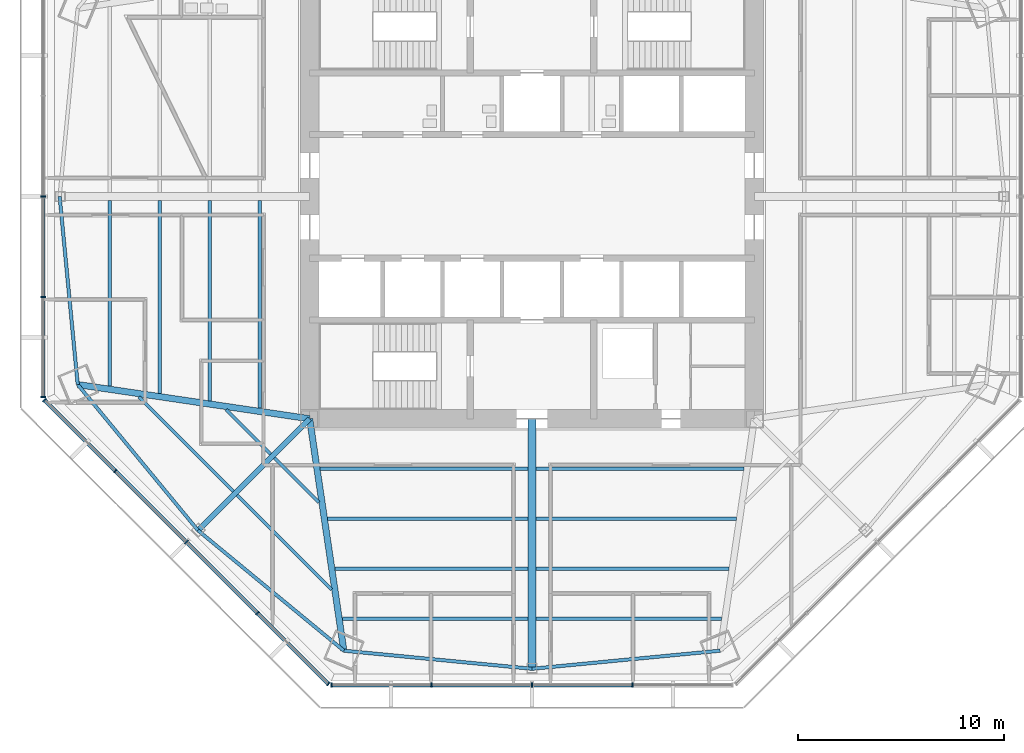
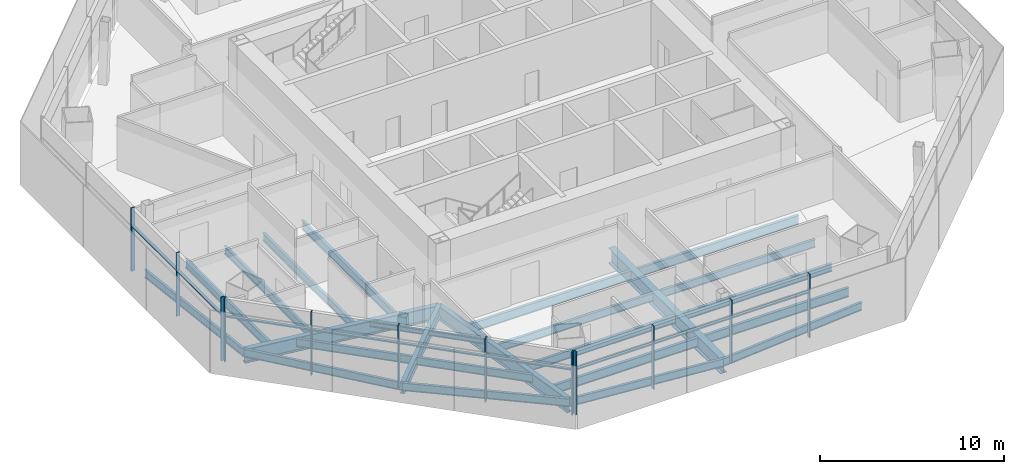
# One storey, part 2 of 15: 25 beams, 21 members, 3 elements without a shape of their own.
"""IFC4 building model written with IfcOpenShell, lengths in metres."""

from ifc_helpers import new_model, si_unit, direction, frame, origin, origin_2d, place, context, subcontext, project, spatial, rectangle, i_section, extrude, source, transform, mapped, material, material_profile, profile_set, type_object, type_shapes, element, aggregate, save


model = new_model("IFC4")

# Units and contexts
model_context = context("Model", 3, precision=1e-05, world=origin(), true_north=direction((0.0, 1.0)))
body_context = subcontext(model_context, "Body", "Model", "MODEL_VIEW")
ifc_project = project(units=[si_unit("LENGTHUNIT", "METRE"), si_unit("AREAUNIT", "SQUARE_METRE"), si_unit("VOLUMEUNIT", "CUBIC_METRE"), si_unit("PLANEANGLEUNIT", "RADIAN"), si_unit("MASSUNIT", "GRAM", prefix="KILO")], contexts=[model_context])

# Site, building, storey
site_placement = place(None, origin())
site = spatial("IfcSite", under=ifc_project, at=site_placement, CompositionType="ELEMENT")
building_placement = place(site_placement, origin())
building = spatial("IfcBuilding", under=site, at=building_placement, Name="Mashrafa Tower", CompositionType="ELEMENT")
storey_placement = place(building_placement, frame((0.0, 0.0, 151.199951171875)))
storey = spatial("IfcBuildingStorey", under=building, at=storey_placement, Name="L34", CompositionType="ELEMENT", Elevation=151.199951171875)

# Beams
ifc_material_1 = material(Name="Steel ASTM A992", Category="steel")
ifc_material_profile_1 = material_profile(ifc_material_1, i_section(OverallWidth=0.164794921875, OverallDepth=0.309814453125, WebThickness=0.005859375, FlangeThickness=0.009765625, FilletRadius=0.007568359375, at=origin_2d()), Name="W12X26")
ifc_profile_set_1 = profile_set([ifc_material_profile_1], Name="Steel ASTM A992")
beam_type_1 = type_object("IfcBeamType", Name="Beam W12X26", PredefinedType="BEAM", material=ifc_profile_set_1)
for number, where, z_axis, x_axis, name in (
    (1, (-12.701904296875, -12.51318359375, -0.31982421875), (-0.707066746832, 0.707146813274, 0.0), (-0.707146813274, -0.707066746832, 0.0), "Floor beam L34 013"),
    (2, (-10.35693359375, -14.85791015625, -0.31982421875), (-0.707146813274, 0.707066746832, 0.0), (-0.707066746832, -0.707146813274, 0.0), "Floor beam L34 016"),
):
    element("IfcBeam", number, at=place(storey_placement, frame(where, z_axis=z_axis, x_axis=x_axis)), inside=storey, type_object=beam_type_1, Name=name, PredefinedType="BEAM", context=body_context, shape_type="SweptSolid", body=[
        extrude(i_section(OverallWidth=0.164794921875, OverallDepth=0.309814453125, WebThickness=0.005859375, FlangeThickness=0.009765625, FilletRadius=0.007568359375, at=origin_2d()), origin(), (0.0, 0.0, 1.0), 3.04931640625),
    ])
ifc_material_2 = material(Name="Steel ASTM A992", Category="steel")
ifc_material_profile_2 = material_profile(ifc_material_2, i_section(OverallWidth=0.1650390625, OverallDepth=0.52587890625, WebThickness=0.0087890625, FlangeThickness=0.011474609375, FilletRadius=0.0126953125, at=origin_2d()), Name="W21X44")
ifc_profile_set_2 = profile_set([ifc_material_profile_2], Name="Steel ASTM A992")
beam_type_2 = type_object("IfcBeamType", Name="Beam W21X44", PredefinedType="BEAM", material=ifc_profile_set_2)
beam_1_placement = place(storey_placement, frame((-18.085205078125, -9.570556640625, -0.427734375), z_axis=(0.0, 1.0, 0.0), x_axis=(-1.0, 0.0, 0.0)))
element("IfcBeam", 3, at=beam_1_placement, inside=storey, type_object=beam_type_2, Name="Floor beam L34 004", PredefinedType="BEAM", context=body_context, shape_type="SweptSolid", body=[
    extrude(i_section(OverallWidth=0.1650390625, OverallDepth=0.52587890625, WebThickness=0.0087890625, FlangeThickness=0.011474609375, FilletRadius=0.0126953125, at=origin_2d()), origin(), (0.0, 0.0, 1.0), 9.369873046875),
])
beam_2_placement = place(storey_placement, frame((-15.656982421875, -9.9287109375, -0.427734375), z_axis=(0.0, 1.0, 0.0), x_axis=(-1.0, 0.0, 0.0)))
element("IfcBeam", 4, at=beam_2_placement, inside=storey, type_object=beam_type_2, Name="Floor beam L34 006", PredefinedType="BEAM", context=body_context, shape_type="SweptSolid", body=[
    extrude(i_section(OverallWidth=0.1650390625, OverallDepth=0.52587890625, WebThickness=0.0087890625, FlangeThickness=0.011474609375, FilletRadius=0.0126953125, at=origin_2d()), origin(), (0.0, 0.0, 1.0), 9.72802734375),
])
for number, where, z_axis, x_axis, name in (
    (5, (-14.50927734375, -14.32080078125, -0.427734375), (-0.707087971403, 0.70712559047, 0.0), (-0.70712559047, -0.707087971403, 0.0), "Floor beam L34 009"),
    (6, (-9.731689453125, -19.09814453125, -0.427734375), (-0.70712559047, 0.707087971403, 0.0), (-0.707087971403, -0.70712559047, 0.0), "Floor beam L34 019"),
):
    element("IfcBeam", number, at=place(storey_placement, frame(where, z_axis=z_axis, x_axis=x_axis)), inside=storey, type_object=beam_type_2, Name=name, PredefinedType="BEAM", context=body_context, shape_type="SweptSolid", body=[
        extrude(i_section(OverallWidth=0.1650390625, OverallDepth=0.52587890625, WebThickness=0.0087890625, FlangeThickness=0.011474609375, FilletRadius=0.0126953125, at=origin_2d()), origin(), (0.0, 0.0, 1.0), 6.48974609375),
    ])
beam_3_placement = place(storey_placement, frame((-0.20068359375, -18.085205078125, -0.427734375), z_axis=(-1.0, 0.0, 0.0), x_axis=(0.0, -1.0, 0.0)))
element("IfcBeam", 7, at=beam_3_placement, inside=storey, type_object=beam_type_2, Name="Floor beam L34 022", PredefinedType="BEAM", context=body_context, shape_type="SweptSolid", body=[
    extrude(i_section(OverallWidth=0.1650390625, OverallDepth=0.52587890625, WebThickness=0.0087890625, FlangeThickness=0.011474609375, FilletRadius=0.0126953125, at=origin_2d()), origin(), (0.0, 0.0, 1.0), 9.369873046875),
])
beam_4_placement = place(storey_placement, frame((-0.20068359375, -15.656982421875, -0.427734375), z_axis=(-1.0, 0.0, 0.0), x_axis=(0.0, -1.0, 0.0)))
element("IfcBeam", 8, at=beam_4_placement, inside=storey, type_object=beam_type_2, Name="Floor beam L34 023", PredefinedType="BEAM", context=body_context, shape_type="SweptSolid", body=[
    extrude(i_section(OverallWidth=0.1650390625, OverallDepth=0.52587890625, WebThickness=0.0087890625, FlangeThickness=0.011474609375, FilletRadius=0.0126953125, at=origin_2d()), origin(), (0.0, 0.0, 1.0), 9.72802734375),
])
beam_5_placement = place(storey_placement, frame((9.570556640625, -18.085205078125, -0.427734375), z_axis=(-1.0, 0.0, 0.0), x_axis=(0.0, -1.0, 0.0)))
element("IfcBeam", 9, at=beam_5_placement, inside=storey, type_object=beam_type_2, Name="Floor beam L34 031", PredefinedType="BEAM", context=body_context, shape_type="SweptSolid", body=[
    extrude(i_section(OverallWidth=0.1650390625, OverallDepth=0.52587890625, WebThickness=0.0087890625, FlangeThickness=0.011474609375, FilletRadius=0.0126953125, at=origin_2d()), origin(), (0.0, 0.0, 1.0), 9.369873046875),
])
beam_6_placement = place(storey_placement, frame((9.9287109375, -15.656982421875, -0.427734375), z_axis=(-1.0, 0.0, 0.0), x_axis=(0.0, -1.0, 0.0)))
element("IfcBeam", 10, at=beam_6_placement, inside=storey, type_object=beam_type_2, Name="Floor beam L34 032", PredefinedType="BEAM", context=body_context, shape_type="SweptSolid", body=[
    extrude(i_section(OverallWidth=0.1650390625, OverallDepth=0.52587890625, WebThickness=0.0087890625, FlangeThickness=0.011474609375, FilletRadius=0.0126953125, at=origin_2d()), origin(), (0.0, 0.0, 1.0), 9.72802734375),
])
beam_7_placement = place(storey_placement, frame((-22.942138671875, 0.0, -0.427734375), z_axis=(0.09564856417, -0.995415165733, 0.0), x_axis=(0.995415165733, 0.09564856417, 0.0)))
element("IfcBeam", 11, at=beam_7_placement, inside=storey, type_object=beam_type_2, Name="Spandrel beam L34 065", PredefinedType="BEAM", context=body_context, shape_type="SweptSolid", body=[
    extrude(i_section(OverallWidth=0.1650390625, OverallDepth=0.52587890625, WebThickness=0.0087890625, FlangeThickness=0.011474609375, FilletRadius=0.0126953125, at=origin_2d()), origin(), (0.0, 0.0, 1.0), 9.18115234375),
])
for number, where, z_axis, x_axis, name in (
    (12, (-22.06396484375, -9.13916015625, -0.427734375), (0.636244896427, -0.771487155934, 0.0), (0.771487155934, 0.636244896427, 0.0), "Spandrel beam L34 066"),
    (13, (-16.222412109375, -16.222412109375, -0.427734375), (0.771487155934, -0.636244896427, 0.0), (0.636244896427, 0.771487155934, 0.0), "Spandrel beam L34 068"),
):
    element("IfcBeam", number, at=place(storey_placement, frame(where, z_axis=z_axis, x_axis=x_axis)), inside=storey, type_object=beam_type_2, Name=name, PredefinedType="BEAM", context=body_context, shape_type="SweptSolid", body=[
        extrude(i_section(OverallWidth=0.1650390625, OverallDepth=0.52587890625, WebThickness=0.0087890625, FlangeThickness=0.011474609375, FilletRadius=0.0126953125, at=origin_2d()), origin(), (0.0, 0.0, 1.0), 9.181396484375),
    ])
for number, where, z_axis, x_axis, name in (
    (14, (-9.13916015625, -22.06396484375, -0.427734375), (0.995415165733, -0.09564856417, 0.0), (0.09564856417, 0.995415165733, 0.0), "Spandrel beam L34 070"),
    (15, (0.0, -22.942138671875, -0.427734375), (0.995415165733, 0.09564856417, 0.0), (-0.09564856417, 0.995415165733, 0.0), "Spandrel beam L34 072"),
):
    element("IfcBeam", number, at=place(storey_placement, frame(where, z_axis=z_axis, x_axis=x_axis)), inside=storey, type_object=beam_type_2, Name=name, PredefinedType="BEAM", context=body_context, shape_type="SweptSolid", body=[
        extrude(i_section(OverallWidth=0.1650390625, OverallDepth=0.52587890625, WebThickness=0.0087890625, FlangeThickness=0.011474609375, FilletRadius=0.0126953125, at=origin_2d()), origin(), (0.0, 0.0, 1.0), 9.18115234375),
    ])
ifc_material_3 = material(Name="Steel ASTM A992", Category="steel")
ifc_material_profile_3 = material_profile(ifc_material_3, i_section(OverallWidth=0.177978515625, OverallDepth=0.599365234375, WebThickness=0.010009765625, FlangeThickness=0.012939453125, FilletRadius=0.012939453125, at=origin_2d()), Name="W24X55")
ifc_profile_set_3 = profile_set([ifc_material_profile_3], Name="Steel ASTM A992")
beam_type_3 = type_object("IfcBeamType", Name="Beam W24X55", PredefinedType="BEAM", material=ifc_profile_set_3)
beam_8_placement = place(storey_placement, frame((-20.513916015625, -9.21240234375, -0.464599609375), z_axis=(0.0, 1.0, 0.0), x_axis=(-1.0, 0.0, 0.0)))
element("IfcBeam", 16, at=beam_8_placement, inside=storey, type_object=beam_type_3, Name="Floor beam L34 001", PredefinedType="BEAM", context=body_context, shape_type="SweptSolid", body=[
    extrude(i_section(OverallWidth=0.177978515625, OverallDepth=0.599365234375, WebThickness=0.010009765625, FlangeThickness=0.012939453125, FilletRadius=0.012939453125, at=origin_2d()), origin(), (0.0, 0.0, 1.0), 9.01171875),
])
beam_9_placement = place(storey_placement, frame((-13.228515625, -10.28662109375, -0.464599609375), z_axis=(0.0, 1.0, 0.0), x_axis=(-1.0, 0.0, 0.0)))
element("IfcBeam", 17, at=beam_9_placement, inside=storey, type_object=beam_type_3, Name="Floor beam L34 011", PredefinedType="BEAM", context=body_context, shape_type="SweptSolid", body=[
    extrude(i_section(OverallWidth=0.177978515625, OverallDepth=0.599365234375, WebThickness=0.010009765625, FlangeThickness=0.012939453125, FilletRadius=0.012939453125, at=origin_2d()), origin(), (0.0, 0.0, 1.0), 10.0859375),
])
beam_10_placement = place(storey_placement, frame((-0.20068359375, -20.513916015625, -0.464599609375), z_axis=(-1.0, 0.0, 0.0), x_axis=(0.0, -1.0, 0.0)))
element("IfcBeam", 18, at=beam_10_placement, inside=storey, type_object=beam_type_3, Name="Floor beam L34 021", PredefinedType="BEAM", context=body_context, shape_type="SweptSolid", body=[
    extrude(i_section(OverallWidth=0.177978515625, OverallDepth=0.599365234375, WebThickness=0.010009765625, FlangeThickness=0.012939453125, FilletRadius=0.012939453125, at=origin_2d()), origin(), (0.0, 0.0, 1.0), 9.01171875),
])
beam_11_placement = place(storey_placement, frame((-0.20068359375, -13.228515625, -0.464599609375), z_axis=(-1.0, 0.0, 0.0), x_axis=(0.0, -1.0, 0.0)))
element("IfcBeam", 19, at=beam_11_placement, inside=storey, type_object=beam_type_3, Name="Floor beam L34 024", PredefinedType="BEAM", context=body_context, shape_type="SweptSolid", body=[
    extrude(i_section(OverallWidth=0.177978515625, OverallDepth=0.599365234375, WebThickness=0.010009765625, FlangeThickness=0.012939453125, FilletRadius=0.012939453125, at=origin_2d()), origin(), (0.0, 0.0, 1.0), 10.0859375),
])
beam_12_placement = place(storey_placement, frame((9.21240234375, -20.513916015625, -0.464599609375), z_axis=(-1.0, 0.0, 0.0), x_axis=(0.0, -1.0, 0.0)))
element("IfcBeam", 20, at=beam_12_placement, inside=storey, type_object=beam_type_3, Name="Floor beam L34 029", PredefinedType="BEAM", context=body_context, shape_type="SweptSolid", body=[
    extrude(i_section(OverallWidth=0.177978515625, OverallDepth=0.599365234375, WebThickness=0.010009765625, FlangeThickness=0.012939453125, FilletRadius=0.012939453125, at=origin_2d()), origin(), (0.0, 0.0, 1.0), 9.01171875),
])
beam_13_placement = place(storey_placement, frame((10.28662109375, -13.228515625, -0.464599609375), z_axis=(-1.0, 0.0, 0.0), x_axis=(0.0, -1.0, 0.0)))
element("IfcBeam", 21, at=beam_13_placement, inside=storey, type_object=beam_type_3, Name="Floor beam L34 034", PredefinedType="BEAM", context=body_context, shape_type="SweptSolid", body=[
    extrude(i_section(OverallWidth=0.177978515625, OverallDepth=0.599365234375, WebThickness=0.010009765625, FlangeThickness=0.012939453125, FilletRadius=0.012939453125, at=origin_2d()), origin(), (0.0, 0.0, 1.0), 10.0859375),
])
ifc_material_4 = material(Name="Steel ASTM A992", Category="steel")
ifc_material_profile_4 = material_profile(ifc_material_4, i_section(OverallWidth=0.2666015625, OverallDepth=0.761962890625, WebThickness=0.014404296875, FlangeThickness=0.021484375, FilletRadius=0.0166015625, at=origin_2d()), Name="W30X116")
ifc_profile_set_4 = profile_set([ifc_material_profile_4], Name="Steel ASTM A992")
beam_type_4 = type_object("IfcBeamType", Name="Beam W30X116", PredefinedType="BEAM", material=ifc_profile_set_4)
beam_14_placement = place(storey_placement, frame((-10.800048828125, -10.800048828125, -0.5458984375), z_axis=(-0.707106781187, -0.707106781187, 0.0), x_axis=(0.707106781187, -0.707106781187, 0.0)))
element("IfcBeam", 22, at=beam_14_placement, inside=storey, type_object=beam_type_4, Name="Radial girder L34 050", PredefinedType="BEAM", context=body_context, shape_type="SweptSolid", body=[
    extrude(i_section(OverallWidth=0.2666015625, OverallDepth=0.761962890625, WebThickness=0.014404296875, FlangeThickness=0.021484375, FilletRadius=0.0166015625, at=origin_2d()), origin(), (0.0, 0.0, 1.0), 7.66845703125),
])
ifc_material_5 = material(Name="Steel ASTM A992", Category="steel")
ifc_material_profile_5 = material_profile(ifc_material_5, i_section(OverallWidth=0.307373046875, OverallDepth=0.927001953125, WebThickness=0.01953125, FlangeThickness=0.031982421875, FilletRadius=0.01904296875, at=origin_2d()), Name="W36X194")
ifc_profile_set_5 = profile_set([ifc_material_profile_5], Name="Steel ASTM A992")
beam_type_5 = type_object("IfcBeamType", Name="Beam W36X194", PredefinedType="BEAM", material=ifc_profile_set_5)
for number, where, z_axis, x_axis, name in (
    (23, (-10.800048828125, -10.800048828125, -0.62841796875), (-0.989303049508, 0.145874864985, 0.0), (-0.145874864985, -0.989303049508, 0.0), "Radial girder L34 049"),
    (24, (-10.800048828125, -10.800048828125, -0.62841796875), (0.145874864985, -0.989303049508, 0.0), (0.989303049508, 0.145874864985, 0.0), "Radial girder L34 051"),
):
    element("IfcBeam", number, at=place(storey_placement, frame(where, z_axis=z_axis, x_axis=x_axis)), inside=storey, type_object=beam_type_5, Name=name, PredefinedType="BEAM", context=body_context, shape_type="SweptSolid", body=[
        extrude(i_section(OverallWidth=0.307373046875, OverallDepth=0.927001953125, WebThickness=0.01953125, FlangeThickness=0.031982421875, FilletRadius=0.01904296875, at=origin_2d()), origin(), (0.0, 0.0, 1.0), 11.3857421875),
    ])
ifc_material_6 = material(Name="Steel ASTM A992", Category="steel")
ifc_material_profile_6 = material_profile(ifc_material_6, i_section(OverallWidth=0.4013671875, OverallDepth=1.010986328125, WebThickness=0.023681640625, FlangeThickness=0.0419921875, FilletRadius=0.02001953125, at=origin_2d()), Name="W40X297")
ifc_profile_set_6 = profile_set([ifc_material_profile_6], Name="Steel ASTM A992")
beam_type_6 = type_object("IfcBeamType", Name="Beam W40X297", PredefinedType="BEAM", material=ifc_profile_set_6)
beam_15_placement = place(storey_placement, frame((0.0, -10.800048828125, -0.67041015625), z_axis=(0.0, -1.0, 0.0), x_axis=(1.0, 0.0, 0.0)))
element("IfcBeam", 25, at=beam_15_placement, inside=storey, type_object=beam_type_6, Name="Radial girder L34 056", PredefinedType="BEAM", context=body_context, shape_type="SweptSolid", body=[
    extrude(i_section(OverallWidth=0.4013671875, OverallDepth=1.010986328125, WebThickness=0.023681640625, FlangeThickness=0.0419921875, FilletRadius=0.02001953125, at=origin_2d()), origin(), (0.0, 0.0, 1.0), 12.14208984375),
])

# Curtain wall, members
ifc_material_7 = material(Name="Unitised aluminium curtain wall", Category="aluminium")
curtain_wall_type = type_object("IfcCurtainWallType", Name="Office curtain wall, zone 2 CW-B 225 deep", PredefinedType="NOTDEFINED", material=ifc_material_7)
curtain_wall_1_placement = place(storey_placement, origin())
curtain_wall_1 = element("IfcCurtainWall", 26, at=curtain_wall_1_placement, inside=storey, type_object=curtain_wall_type, Name="Office curtain wall, zone 2 L34 west", PredefinedType="NOTDEFINED")
ifc_material_8 = material(Name="Extruded aluminium mullion", Category="aluminium")
ifc_material_profile_7 = material_profile(ifc_material_8, rectangle(XDim=0.22509765625, YDim=0.06494140625, at=origin_2d()), Name="Mullion 65x225")
ifc_profile_set_7 = profile_set([ifc_material_profile_7], Name="Extruded aluminium mullion")
member_type_1 = type_object("IfcMemberType", Name="Mullion CW-B 65 x 225", PredefinedType="MULLION", material=ifc_profile_set_7)
shared_shape_1 = source(origin(), body_context, "Body", "SweptSolid", [
    extrude(rectangle(XDim=0.22509765625, YDim=0.06494140625, at=origin_2d()), origin(), (0.0, 0.0, 1.0), 4.199951171875),
])
type_shapes(member_type_1, [shared_shape_1])
member_1_placement = place(storey_placement, frame((-23.737548828125, 0.0, 0.0), z_axis=(0.0, 0.0, 1.0), x_axis=(1.0, 0.0, 0.0)))
member_1 = element("IfcMember", 27, at=member_1_placement, type_object=member_type_1, Name="CW-B mullion 3", PredefinedType="MULLION", context=body_context, shape_type="MappedRepresentation", body=[
    mapped(shared_shape_1, transform((0.0, 0.0, 0.0))),
])
member_2_placement = place(storey_placement, frame((-23.737548828125, -4.887939453125, 0.0), z_axis=(0.0, 0.0, 1.0), x_axis=(1.0, 0.0, 0.0)))
member_2 = element("IfcMember", 28, at=member_2_placement, type_object=member_type_1, Name="CW-B mullion 4", PredefinedType="MULLION", context=body_context, shape_type="MappedRepresentation", body=[
    mapped(shared_shape_1, transform((0.0, 0.0, 0.0))),
])
member_3_placement = place(storey_placement, frame((-23.737548828125, -9.743408203125, 0.0), z_axis=(0.0, 0.0, 1.0), x_axis=(1.0, 0.0, 0.0)))
member_3 = element("IfcMember", 29, at=member_3_placement, type_object=member_type_1, Name="CW-B mullion 5", PredefinedType="MULLION", context=body_context, shape_type="MappedRepresentation", body=[
    mapped(shared_shape_1, transform((0.0, 0.0, 0.0))),
])

curtain_wall_2_placement = place(storey_placement, origin())
curtain_wall_2 = element("IfcCurtainWall", 30, at=curtain_wall_2_placement, inside=storey, type_object=curtain_wall_type, Name="Office curtain wall, zone 2 L34 south-west", PredefinedType="NOTDEFINED")
member_4_placement = place(storey_placement, frame((-23.674560546875, -9.8955078125, 0.0), z_axis=(0.0, 0.0, 1.0), x_axis=(0.707106781187, 0.707106781187, 0.0)))
member_4 = element("IfcMember", 31, at=member_4_placement, type_object=member_type_1, Name="CW-B mullion 1", PredefinedType="MULLION", context=body_context, shape_type="MappedRepresentation", body=[
    mapped(shared_shape_1, transform((0.0, 0.0, 0.0))),
])
member_5_placement = place(storey_placement, frame((-20.2412109375, -13.32861328125, 0.0), z_axis=(0.0, 0.0, 1.0), x_axis=(0.707106781187, 0.707106781187, 0.0)))
member_5 = element("IfcMember", 32, at=member_5_placement, type_object=member_type_1, Name="CW-B mullion 2", PredefinedType="MULLION", context=body_context, shape_type="MappedRepresentation", body=[
    mapped(shared_shape_1, transform((0.0, 0.0, 0.0))),
])
member_6_placement = place(storey_placement, frame((-16.784912109375, -16.784912109375, 0.0), z_axis=(0.0, 0.0, 1.0), x_axis=(0.707106781187, 0.707106781187, 0.0)))
member_6 = element("IfcMember", 33, at=member_6_placement, type_object=member_type_1, Name="CW-B mullion 3", PredefinedType="MULLION", context=body_context, shape_type="MappedRepresentation", body=[
    mapped(shared_shape_1, transform((0.0, 0.0, 0.0))),
])
member_7_placement = place(storey_placement, frame((-13.32861328125, -20.2412109375, 0.0), z_axis=(0.0, 0.0, 1.0), x_axis=(0.707106781187, 0.707106781187, 0.0)))
member_7 = element("IfcMember", 34, at=member_7_placement, type_object=member_type_1, Name="CW-B mullion 4", PredefinedType="MULLION", context=body_context, shape_type="MappedRepresentation", body=[
    mapped(shared_shape_1, transform((0.0, 0.0, 0.0))),
])
member_8_placement = place(storey_placement, frame((-9.8955078125, -23.674560546875, 0.0), z_axis=(0.0, 0.0, 1.0), x_axis=(0.707106781187, 0.707106781187, 0.0)))
member_8 = element("IfcMember", 35, at=member_8_placement, type_object=member_type_1, Name="CW-B mullion 5", PredefinedType="MULLION", context=body_context, shape_type="MappedRepresentation", body=[
    mapped(shared_shape_1, transform((0.0, 0.0, 0.0))),
])

curtain_wall_3_placement = place(storey_placement, origin())
curtain_wall_3 = element("IfcCurtainWall", 36, at=curtain_wall_3_placement, inside=storey, type_object=curtain_wall_type, Name="Office curtain wall, zone 2 L34 south", PredefinedType="NOTDEFINED")
member_9_placement = place(storey_placement, frame((-9.743408203125, -23.737548828125, 0.0), z_axis=(0.0, 0.0, 1.0), x_axis=(0.0, 1.0, 0.0)))
member_9 = element("IfcMember", 37, at=member_9_placement, type_object=member_type_1, Name="CW-B mullion 1", PredefinedType="MULLION", context=body_context, shape_type="MappedRepresentation", body=[
    mapped(shared_shape_1, transform((0.0, 0.0, 0.0))),
])
member_10_placement = place(storey_placement, frame((-4.887939453125, -23.737548828125, 0.0), z_axis=(0.0, 0.0, 1.0), x_axis=(0.0, 1.0, 0.0)))
member_10 = element("IfcMember", 38, at=member_10_placement, type_object=member_type_1, Name="CW-B mullion 2", PredefinedType="MULLION", context=body_context, shape_type="MappedRepresentation", body=[
    mapped(shared_shape_1, transform((0.0, 0.0, 0.0))),
])
member_11_placement = place(storey_placement, frame((0.0, -23.737548828125, 0.0), z_axis=(0.0, 0.0, 1.0), x_axis=(0.0, 1.0, 0.0)))
member_11 = element("IfcMember", 39, at=member_11_placement, type_object=member_type_1, Name="CW-B mullion 3", PredefinedType="MULLION", context=body_context, shape_type="MappedRepresentation", body=[
    mapped(shared_shape_1, transform((0.0, 0.0, 0.0))),
])
member_12_placement = place(storey_placement, frame((4.887939453125, -23.737548828125, 0.0), z_axis=(0.0, 0.0, 1.0), x_axis=(0.0, 1.0, 0.0)))
member_12 = element("IfcMember", 40, at=member_12_placement, type_object=member_type_1, Name="CW-B mullion 4", PredefinedType="MULLION", context=body_context, shape_type="MappedRepresentation", body=[
    mapped(shared_shape_1, transform((0.0, 0.0, 0.0))),
])

# Member
ifc_material_9 = material(Name="Extruded aluminium transom", Category="aluminium")
ifc_material_profile_8 = material_profile(ifc_material_9, rectangle(XDim=0.179931640625, YDim=0.080078125, at=origin_2d()), Name="Transom 80x180")
ifc_profile_set_8 = profile_set([ifc_material_profile_8], Name="Extruded aluminium transom")
member_type_2 = type_object("IfcMemberType", Name="Transom CW-B 80 x 180", PredefinedType="MULLION", material=ifc_profile_set_8)
shared_shape_2 = source(origin(), body_context, "Body", "SweptSolid", [
    extrude(rectangle(XDim=0.179931640625, YDim=0.080078125, at=origin_2d()), origin(), (0.0, 0.0, 1.0), 4.790283203125),
])
member_13_placement = place(storey_placement, frame((-23.737548828125, -4.92041015625, 3.0), z_axis=(0.0, -1.0, 0.0), x_axis=(1.0, 0.0, 0.0)))
member_13 = element("IfcMember", 41, at=member_13_placement, type_object=member_type_2, Name="CW-B transom 4", PredefinedType="MULLION", context=body_context, shape_type="MappedRepresentation", body=[
    mapped(shared_shape_2, transform((0.0, 0.0, 0.0))),
])

member_14_placement = place(storey_placement, frame((-9.710693359375, -23.737548828125, 3.0), z_axis=(1.0, 0.0, 0.0), x_axis=(0.0, 1.0, 0.0)))
member_14 = element("IfcMember", 42, at=member_14_placement, type_object=member_type_2, Name="CW-B transom 1", PredefinedType="MULLION", context=body_context, shape_type="MappedRepresentation", body=[
    mapped(shared_shape_2, transform((0.0, 0.0, 0.0))),
])

shared_shape_3 = source(origin(), body_context, "Body", "SweptSolid", [
    extrude(rectangle(XDim=0.179931640625, YDim=0.080078125, at=origin_2d()), origin(), (0.0, 0.0, 1.0), 4.822998046875),
])
member_15_placement = place(storey_placement, frame((-23.737548828125, -0.032470703125, 3.0), z_axis=(0.0, -1.0, 0.0), x_axis=(1.0, 0.0, 0.0)))
member_15 = element("IfcMember", 43, at=member_15_placement, type_object=member_type_2, Name="CW-B transom 3", PredefinedType="MULLION", context=body_context, shape_type="MappedRepresentation", body=[
    mapped(shared_shape_3, transform((0.0, 0.0, 0.0))),
])

aggregate(curtain_wall_1, [member_1, member_2, member_3, member_15, member_13])

member_16_placement = place(storey_placement, frame((-20.21826171875, -13.3515625, 3.0), z_axis=(0.707106781187, -0.707106781187, 0.0), x_axis=(0.707106781187, 0.707106781187, 0.0)))
member_16 = element("IfcMember", 44, at=member_16_placement, type_object=member_type_2, Name="CW-B transom 2", PredefinedType="MULLION", context=body_context, shape_type="MappedRepresentation", body=[
    mapped(shared_shape_3, transform((0.0, 0.0, 0.0))),
])

member_17_placement = place(storey_placement, frame((-16.761962890625, -16.807861328125, 3.0), z_axis=(0.707106781187, -0.707106781187, 0.0), x_axis=(0.707106781187, 0.707106781187, 0.0)))
member_17 = element("IfcMember", 45, at=member_17_placement, type_object=member_type_2, Name="CW-B transom 3", PredefinedType="MULLION", context=body_context, shape_type="MappedRepresentation", body=[
    mapped(shared_shape_3, transform((0.0, 0.0, 0.0))),
])

member_18_placement = place(storey_placement, frame((-4.85546875, -23.737548828125, 3.0), z_axis=(1.0, 0.0, 0.0), x_axis=(0.0, 1.0, 0.0)))
member_18 = element("IfcMember", 46, at=member_18_placement, type_object=member_type_2, Name="CW-B transom 2", PredefinedType="MULLION", context=body_context, shape_type="MappedRepresentation", body=[
    mapped(shared_shape_3, transform((0.0, 0.0, 0.0))),
])

member_19_placement = place(storey_placement, frame((0.032470703125, -23.737548828125, 3.0), z_axis=(1.0, 0.0, 0.0), x_axis=(0.0, 1.0, 0.0)))
member_19 = element("IfcMember", 47, at=member_19_placement, type_object=member_type_2, Name="CW-B transom 3", PredefinedType="MULLION", context=body_context, shape_type="MappedRepresentation", body=[
    mapped(shared_shape_3, transform((0.0, 0.0, 0.0))),
])

aggregate(curtain_wall_3, [member_9, member_10, member_11, member_12, member_14, member_18, member_19])

shared_shape_4 = source(origin(), body_context, "Body", "SweptSolid", [
    extrude(rectangle(XDim=0.179931640625, YDim=0.080078125, at=origin_2d()), origin(), (0.0, 0.0, 1.0), 4.79052734375),
])
type_shapes(member_type_2, [shared_shape_2, shared_shape_3, shared_shape_4])
member_20_placement = place(storey_placement, frame((-23.651611328125, -9.91845703125, 3.0), z_axis=(0.707132262971, -0.707081298484, 0.0), x_axis=(0.707081298484, 0.707132262971, 0.0)))
member_20 = element("IfcMember", 48, at=member_20_placement, type_object=member_type_2, Name="CW-B transom 1", PredefinedType="MULLION", context=body_context, shape_type="MappedRepresentation", body=[
    mapped(shared_shape_4, transform((0.0, 0.0, 0.0))),
])

member_21_placement = place(storey_placement, frame((-13.3056640625, -20.26416015625, 3.0), z_axis=(0.707081298484, -0.707132262971, 0.0), x_axis=(0.707132262971, 0.707081298484, 0.0)))
member_21 = element("IfcMember", 49, at=member_21_placement, type_object=member_type_2, Name="CW-B transom 4", PredefinedType="MULLION", context=body_context, shape_type="MappedRepresentation", body=[
    mapped(shared_shape_4, transform((0.0, 0.0, 0.0))),
])

aggregate(curtain_wall_2, [member_4, member_5, member_6, member_7, member_8, member_20, member_16, member_17, member_21])

save(model, "model.ifc")
